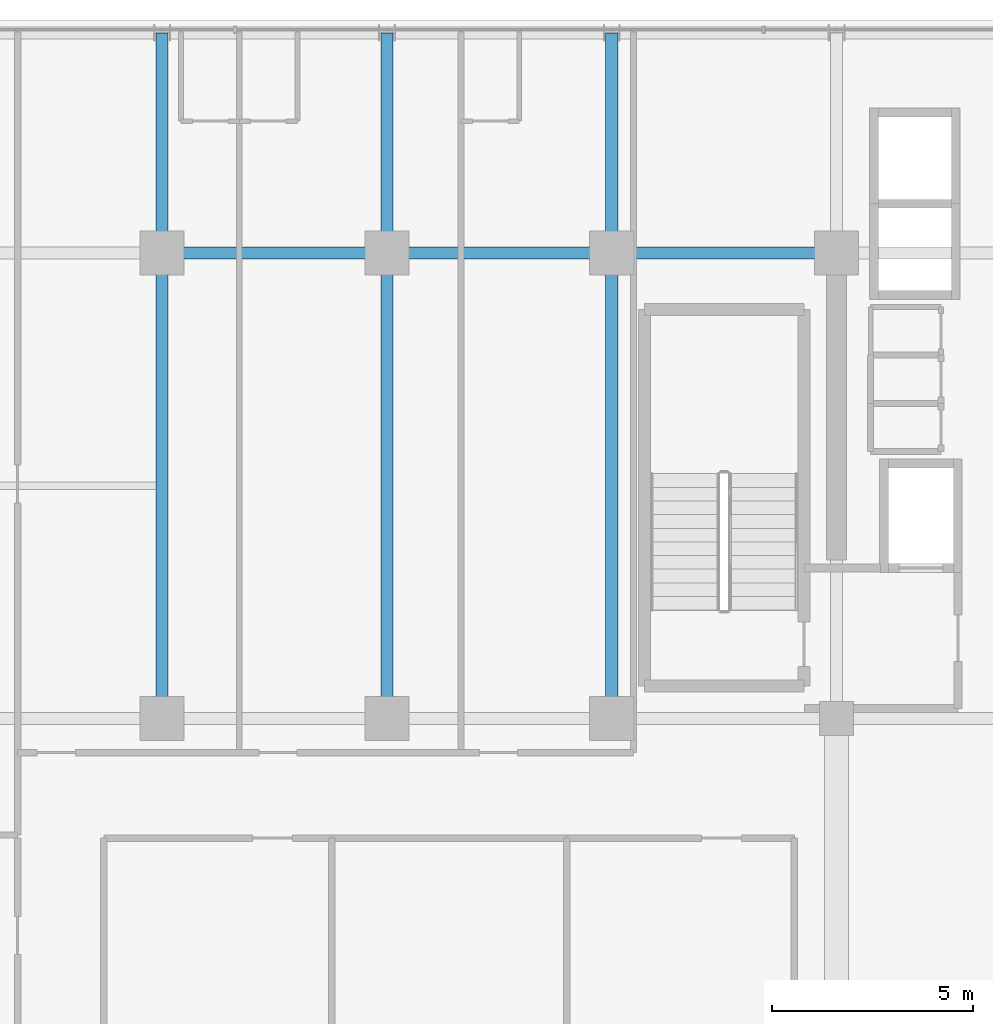
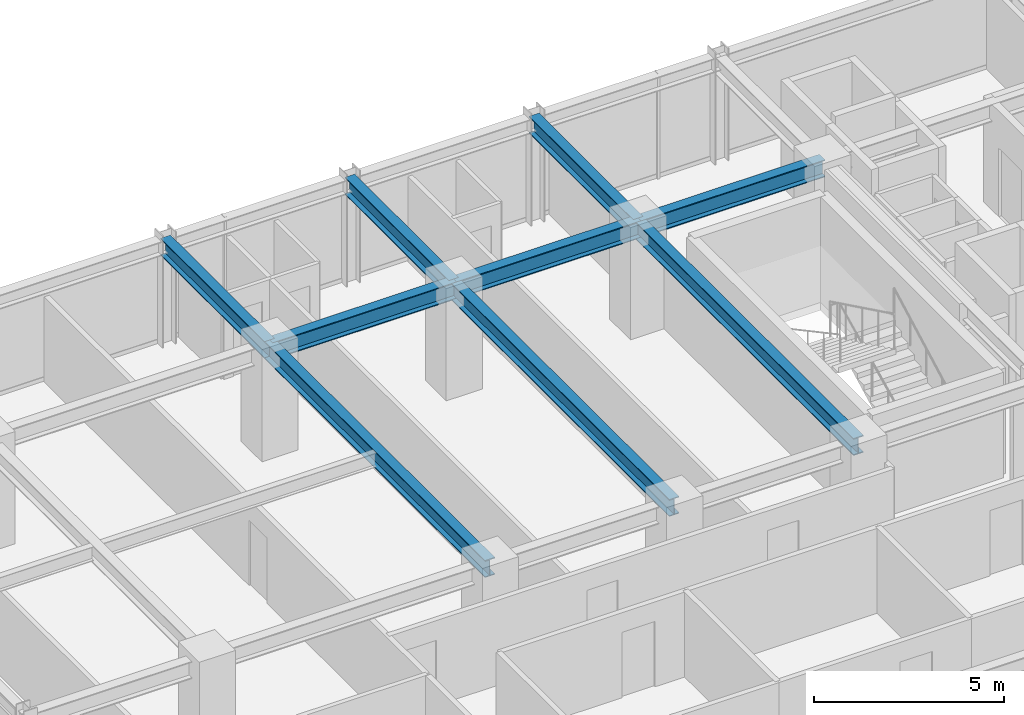
# One storey, part 19 of 31: 9 beams.
"""IFC4 building model written with IfcOpenShell, lengths in metres."""

import ifcopenshell
import ifcopenshell.guid

model = None  # the IFC model being written
_history = None  # IfcOwnerHistory: only IFC2X3 demands one
_inside = {}  # id of a spatial element -> (the spatial element, [elements in it])
_under = {}  # id of a project, library or spatial element -> (it, [spatial elements below it])
_declared = {}  # id of a project -> (the project, [libraries it declares])
_typed = {}  # id of a type object -> (the type object, [elements of that type])
_made_of = {}  # id of a material, layer set ... -> (it, [elements and type objects made of it])


def new_model(schema):
    """Start an empty IFC model of exactly this schema.

    Asked for "IFC4X3", IfcOpenShell would pick the latest addendum, in which some entities
    have other attributes; the version numbers below select the first issue.
    IFC2X3 requires an IfcOwnerHistory on every rooted entity: one is made here for all.
    """
    global model, _history
    if schema == "IFC4X3":
        model = ifcopenshell.file(schema_version=(4, 3, 0, 0))
    else:
        model = ifcopenshell.file(schema=schema)
    _inside.clear()
    _under.clear()
    _declared.clear()
    _typed.clear()
    _made_of.clear()
    _history = None
    if model.schema == "IFC2X3":
        org = make("IfcOrganization", Name="unknown")
        user = make(
            "IfcPersonAndOrganization",
            ThePerson=make("IfcPerson", FamilyName="unknown"),
            TheOrganization=org,
        )
        app = make(
            "IfcApplication",
            ApplicationDeveloper=org,
            Version="unknown",
            ApplicationFullName="unknown",
            ApplicationIdentifier="unknown",
        )
        _history = make(
            "IfcOwnerHistory",
            OwningUser=user,
            OwningApplication=app,
            ChangeAction="ADDED",
            CreationDate=0,
        )
    return model


def make(cls, **values):
    """One entity of the class cls with the attributes given. An attribute that is None is left unset."""
    return model.create_entity(
        cls, **{name: value for name, value in values.items() if value is not None}
    )


def rooted(cls, **values):
    """An entity with a GlobalId (a new one), such as an element, a storey or a relation."""
    return make(cls, GlobalId=ifcopenshell.guid.new(), OwnerHistory=_history, **values)


def si_unit(unit_type, name, prefix=None):
    """IfcSIUnit, for example si_unit("LENGTHUNIT", "METRE", prefix="MILLI")."""
    return make("IfcSIUnit", UnitType=unit_type, Prefix=prefix, Name=name)


def assignment(units):
    """IfcUnitAssignment: the units of a project."""
    return None if units is None else make("IfcUnitAssignment", Units=units)


def point(xyz):
    """IfcCartesianPoint."""
    return None if xyz is None else make("IfcCartesianPoint", Coordinates=xyz)


def direction(xyz):
    """IfcDirection."""
    return None if xyz is None else make("IfcDirection", DirectionRatios=xyz)


def frame(location, z_axis=None, x_axis=None):
    """IfcAxis2Placement3D, a coordinate frame: its origin and axes. An axis left out is left unset."""
    return make(
        "IfcAxis2Placement3D",
        Location=point(location),
        Axis=direction(z_axis),
        RefDirection=direction(x_axis),
    )


def frame_2d(location, x_axis=None):
    """IfcAxis2Placement2D, a coordinate frame in the plane: its origin and x axis."""
    return make(
        "IfcAxis2Placement2D", Location=point(location), RefDirection=direction(x_axis)
    )


def origin():
    """The frame at (0, 0, 0) with its axes left unset."""
    return frame((0.0, 0.0, 0.0))


def origin_2d():
    """The frame at (0, 0) in the plane with its x axis left unset."""
    return frame_2d((0.0, 0.0))


def place(relative_to, where):
    """IfcLocalPlacement: puts the frame where relative to a parent placement (None: the world)."""
    return make(
        "IfcLocalPlacement", PlacementRelTo=relative_to, RelativePlacement=where
    )


def context(
    kind, dimensions, precision=None, world=None, true_north=None, identifier=None
):
    """IfcGeometricRepresentationContext, for example the 3D "Model" context."""
    return make(
        "IfcGeometricRepresentationContext",
        ContextIdentifier=identifier,
        ContextType=kind,
        CoordinateSpaceDimension=dimensions,
        Precision=precision,
        WorldCoordinateSystem=world,
        TrueNorth=true_north,
    )


def subcontext(parent, identifier, kind, view, scale=None):
    """IfcGeometricRepresentationSubContext, for example "Body" below "Model"."""
    return make(
        "IfcGeometricRepresentationSubContext",
        ContextIdentifier=identifier,
        ContextType=kind,
        ParentContext=parent,
        TargetScale=scale,
        TargetView=view,
    )


def project(units=None, contexts=None):
    """IfcProject with its units and contexts."""
    return rooted(
        "IfcProject",
        Name="project",
        RepresentationContexts=contexts,
        UnitsInContext=assignment(units),
    )


def spatial(cls, under=None, at=None, **own):
    """A site, building, storey or space (cls), placed at a placement, below another one or the project."""
    s = rooted(cls, ObjectPlacement=at, **own)
    if under is not None:
        _under.setdefault(under.id(), (under, []))[1].append(s)
    return s


def profile(cls, at=None, kind="AREA", **sizes):
    """A parametric profile (cls). Its sizes go by their IFC names, for example OverallWidth=200.0."""
    return make(cls, ProfileType=kind, Position=at, **sizes)


def i_section(**sizes):
    """IfcIShapeProfileDef."""
    return profile("IfcIShapeProfileDef", **sizes)


def extrude(swept, where, along, depth):
    """IfcExtrudedAreaSolid: the profile swept, set in the frame where, extruded along a direction by depth."""
    return make(
        "IfcExtrudedAreaSolid",
        SweptArea=swept,
        Position=where,
        ExtrudedDirection=direction(along),
        Depth=depth,
    )


def shape(context_of_items, identifier, shape_type, items):
    """IfcShapeRepresentation: the items that make up one representation, for example the "Body"."""
    return make(
        "IfcShapeRepresentation",
        ContextOfItems=context_of_items,
        RepresentationIdentifier=identifier,
        RepresentationType=shape_type,
        Items=items,
    )


def source(mapping_origin, context_of_items, identifier, shape_type, items):
    """IfcRepresentationMap: a shape defined once, which mapped items show again and again."""
    return make(
        "IfcRepresentationMap",
        MappingOrigin=mapping_origin,
        MappedRepresentation=shape(context_of_items, identifier, shape_type, items),
    )


def transform(
    local_origin,
    x_axis=None,
    y_axis=None,
    z_axis=None,
    scale=None,
    scale2=None,
    scale3=None,
    uniform=True,
):
    """IfcCartesianTransformationOperator3D, or its non-uniform kind. x_axis, y_axis, z_axis: its Axis1, 2, 3."""
    if uniform:
        return make(
            "IfcCartesianTransformationOperator3D",
            Axis1=direction(x_axis),
            Axis2=direction(y_axis),
            LocalOrigin=point(local_origin),
            Scale=scale,
            Axis3=direction(z_axis),
        )
    return make(
        "IfcCartesianTransformationOperator3DnonUniform",
        Axis1=direction(x_axis),
        Axis2=direction(y_axis),
        LocalOrigin=point(local_origin),
        Scale=scale,
        Axis3=direction(z_axis),
        Scale2=scale2,
        Scale3=scale3,
    )


def mapped(mapping_source, mapping_target):
    """IfcMappedItem: shows the shape of a source again, moved by a transform."""
    return make(
        "IfcMappedItem", MappingSource=mapping_source, MappingTarget=mapping_target
    )


def material(Name=None, Category=None):
    """IfcMaterial."""
    return make("IfcMaterial", Name=Name, Category=Category)


def material_profile(
    of_material, cross_section, Name=None, Category=None, Priority=None
):
    """IfcMaterialProfile: a cross section and its material."""
    return make(
        "IfcMaterialProfile",
        Name=Name,
        Material=of_material,
        Profile=cross_section,
        Priority=Priority,
        Category=Category,
    )


def profile_set(profiles, Name=None, composite=None):
    """IfcMaterialProfileSet."""
    return make(
        "IfcMaterialProfileSet",
        Name=Name,
        MaterialProfiles=profiles,
        CompositeProfile=composite,
    )


def made_of(thing, what):
    """Note that an element or type object is made of a material, layer set ...; save() writes the relation."""
    if what is not None:
        _made_of.setdefault(what.id(), (what, []))[1].append(thing)
    return thing


def type_object(cls, material=None, **own):
    """A type object (cls), such as IfcWallType, which elements share."""
    return made_of(rooted(cls, **own), material)


def element(
    cls,
    number,
    at=None,
    inside=None,
    cuts=None,
    type_object=None,
    material=None,
    context=None,
    identifier="Body",
    shape_type=None,
    held_by="IfcProductDefinitionShape",
    body=None,
    shapes=None,
    **own,
):
    """One element of the class cls, such as IfcWall. Its Tag is "e" and its number.

    at: its placement. inside: the storey or other place that contains it. cuts: it is an
    opening in that element (IfcRelVoidsElement). A single representation is given by context,
    identifier, shape_type and body (its items); several are given by shapes. held_by: the class
    of the entity that holds the representations. save() writes the other relations.
    """
    e = rooted(cls, Tag="e%d" % number, ObjectPlacement=at, **own)
    if body is not None:
        shapes = [shape(context, identifier, shape_type, body)]
    if shapes is not None:
        e.Representation = make(held_by, Representations=shapes)
    if inside is not None:
        _inside.setdefault(inside.id(), (inside, []))[1].append(e)
    if cuts is not None:
        rooted(
            "IfcRelVoidsElement", RelatingBuildingElement=cuts, RelatedOpeningElement=e
        )
    if type_object is not None:
        _typed.setdefault(type_object.id(), (type_object, []))[1].append(e)
    return made_of(e, material)


def aggregate(whole, parts):
    """IfcRelAggregates: a whole, such as a stair, and the parts it consists of."""
    return rooted("IfcRelAggregates", RelatingObject=whole, RelatedObjects=parts)


def save(model, path):
    """Write the relations noted so far, then the file.

    IfcRelAggregates (storeys below a building ...), IfcRelContainedInSpatialStructure (elements
    in a storey), IfcRelDefinesByType, IfcRelAssociatesMaterial and IfcRelDeclares: one each for
    every whole, place, type object, material and project.
    """
    for whole, parts in _under.values():
        aggregate(whole, parts)
    for where, things in _inside.values():
        rooted(
            "IfcRelContainedInSpatialStructure",
            RelatedElements=things,
            RelatingStructure=where,
        )
    for kind, things in _typed.values():
        rooted("IfcRelDefinesByType", RelatedObjects=things, RelatingType=kind)
    for what, things in _made_of.values():
        rooted("IfcRelAssociatesMaterial", RelatedObjects=things, RelatingMaterial=what)
    for by, libraries in _declared.values():
        rooted("IfcRelDeclares", RelatingContext=by, RelatedDefinitions=libraries)
    model.write(path)


model = new_model("IFC4")

# Units and contexts
model_context = context("Model", 3, precision=1e-05, world=origin(), true_north=direction((0.0, 1.0)))
body_context = subcontext(model_context, "Body", "Model", "MODEL_VIEW")
ifc_project = project(units=[si_unit("LENGTHUNIT", "METRE"), si_unit("AREAUNIT", "SQUARE_METRE"), si_unit("VOLUMEUNIT", "CUBIC_METRE"), si_unit("PLANEANGLEUNIT", "RADIAN"), si_unit("MASSUNIT", "GRAM", prefix="KILO")], contexts=[model_context])

# Site, building, storey
site_placement = place(None, origin())
site = spatial("IfcSite", under=ifc_project, at=site_placement, CompositionType="ELEMENT")
building_placement = place(site_placement, origin())
building = spatial("IfcBuilding", under=site, at=building_placement, Name="Nahalor Promenade Grand Hotel", CompositionType="ELEMENT")
storey_placement = place(building_placement, frame((0.0, 0.0, 156.300048828125)))
storey = spatial("IfcBuildingStorey", under=building, at=storey_placement, Name="L39", CompositionType="ELEMENT", Elevation=156.300048828125)

# Beams
ifc_material = material(Name="Steel S355JR", Category="steel")
ifc_material_profile = material_profile(ifc_material, i_section(OverallWidth=0.3, OverallDepth=0.55, WebThickness=0.015, FlangeThickness=0.029, at=origin_2d()), Name="HEB 550")
ifc_profile_set = profile_set([ifc_material_profile], Name="Steel S355JR")
beam_type = type_object("IfcBeamType", Name="Beam-Girder-HEB550", PredefinedType="BEAM", material=ifc_profile_set)
shared_shape_1 = source(origin(), body_context, "Body", "SweptSolid", [
    extrude(i_section(OverallWidth=0.3, OverallDepth=0.55, WebThickness=0.015, FlangeThickness=0.029, at=origin_2d()), origin(), (0.0, 0.0, 1.0), 5.599853515625),
])
for number, where, z_axis, x_axis, name in (
    (1, (-8.39990234375, 17.0, 3.114990234375), (1.0, 0.0, 0.0), (0.0, 1.0, 0.0), "BM-L39-GX-3-2"),
    (2, (2.800048828125, 17.0, 3.114990234375), (1.0, 0.0, 0.0), (0.0, 1.0, 0.0), "BM-L39-GX-3-4"),
):
    element("IfcBeam", number, at=place(storey_placement, frame(where, z_axis=z_axis, x_axis=x_axis)), inside=storey, type_object=beam_type, Name=name, PredefinedType="BEAM", context=body_context, shape_type="MappedRepresentation", body=[
        mapped(shared_shape_1, transform((0.0, 0.0, 0.0), scale=1.0)),
    ])
shared_shape_2 = source(origin(), body_context, "Body", "SweptSolid", [
    extrude(i_section(OverallWidth=0.3, OverallDepth=0.55, WebThickness=0.015, FlangeThickness=0.029, at=origin_2d()), origin(), (0.0, 0.0, 1.0), 5.60009765625),
])
beam_placement = place(storey_placement, frame((-2.800048828125, 17.0, 3.114990234375), z_axis=(1.0, 0.0, 0.0), x_axis=(0.0, 1.0, 0.0)))
element("IfcBeam", 3, at=beam_placement, inside=storey, type_object=beam_type, Name="BM-L39-GX-3-3", PredefinedType="BEAM", context=body_context, shape_type="MappedRepresentation", body=[
    mapped(shared_shape_2, transform((0.0, 0.0, 0.0), scale=1.0)),
])
shared_shape_3 = source(origin(), body_context, "Body", "SweptSolid", [
    extrude(i_section(OverallWidth=0.3, OverallDepth=0.55, WebThickness=0.015, FlangeThickness=0.029, at=origin_2d()), origin(), (0.0, 0.0, 1.0), 11.60009765625),
])
for number, where, z_axis, x_axis, name in (
    (4, (-8.39990234375, 5.39990234375, 3.114990234375), (0.0, 1.0, 0.0), (-1.0, 0.0, 0.0), "BM-L39-GY-1-3"),
    (5, (-2.800048828125, 5.39990234375, 3.114990234375), (0.0, 1.0, 0.0), (-1.0, 0.0, 0.0), "BM-L39-GY-2-3"),
    (6, (2.800048828125, 5.39990234375, 3.114990234375), (0.0, 1.0, 0.0), (-1.0, 0.0, 0.0), "BM-L39-GY-3-3"),
):
    element("IfcBeam", number, at=place(storey_placement, frame(where, z_axis=z_axis, x_axis=x_axis)), inside=storey, type_object=beam_type, Name=name, PredefinedType="BEAM", context=body_context, shape_type="MappedRepresentation", body=[
        mapped(shared_shape_3, transform((0.0, 0.0, 0.0), scale=1.0)),
    ])
shared_shape_4 = source(origin(), body_context, "Body", "SweptSolid", [
    extrude(i_section(OverallWidth=0.3, OverallDepth=0.55, WebThickness=0.015, FlangeThickness=0.029, at=origin_2d()), origin(), (0.0, 0.0, 1.0), 5.47998046875),
])
for number, where, z_axis, x_axis, name in (
    (7, (-8.39990234375, 17.0, 3.114990234375), (0.0, 1.0, 0.0), (-1.0, 0.0, 0.0), "BM-L39-GY-1-4"),
    (8, (-2.800048828125, 17.0, 3.114990234375), (0.0, 1.0, 0.0), (-1.0, 0.0, 0.0), "BM-L39-GY-2-4"),
    (9, (2.800048828125, 17.0, 3.114990234375), (0.0, 1.0, 0.0), (-1.0, 0.0, 0.0), "BM-L39-GY-3-4"),
):
    element("IfcBeam", number, at=place(storey_placement, frame(where, z_axis=z_axis, x_axis=x_axis)), inside=storey, type_object=beam_type, Name=name, PredefinedType="BEAM", context=body_context, shape_type="MappedRepresentation", body=[
        mapped(shared_shape_4, transform((0.0, 0.0, 0.0), scale=1.0)),
    ])

save(model, "model.ifc")
